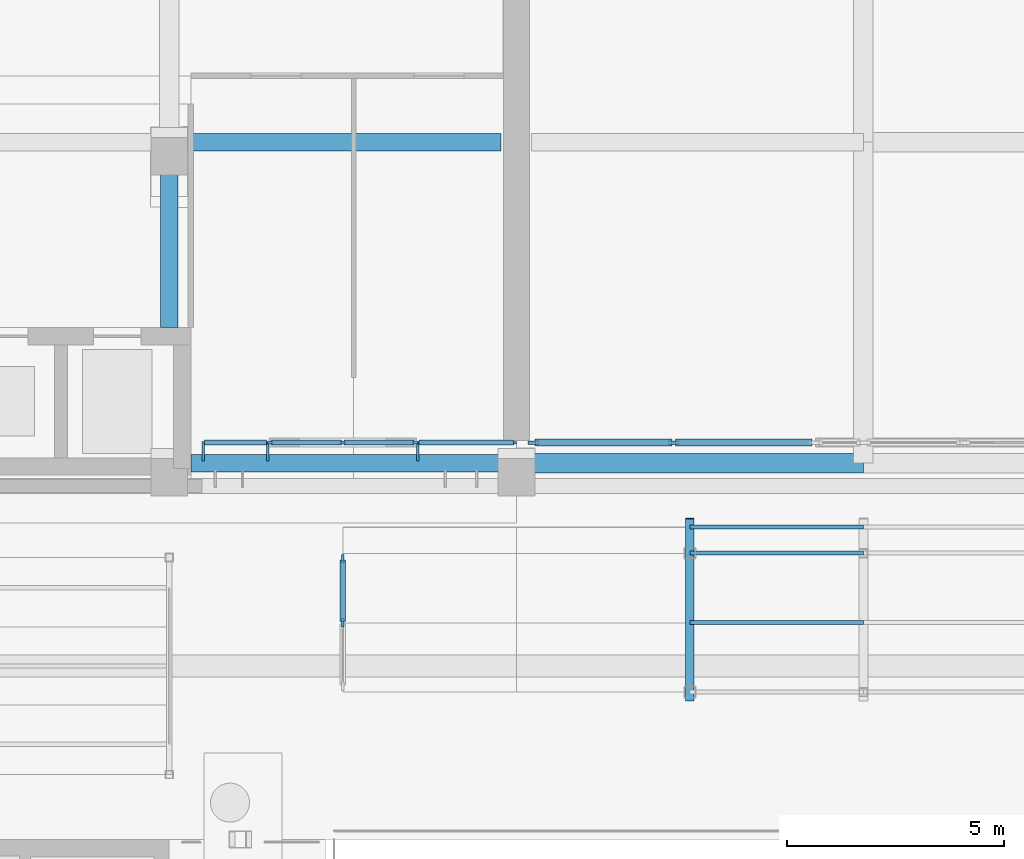
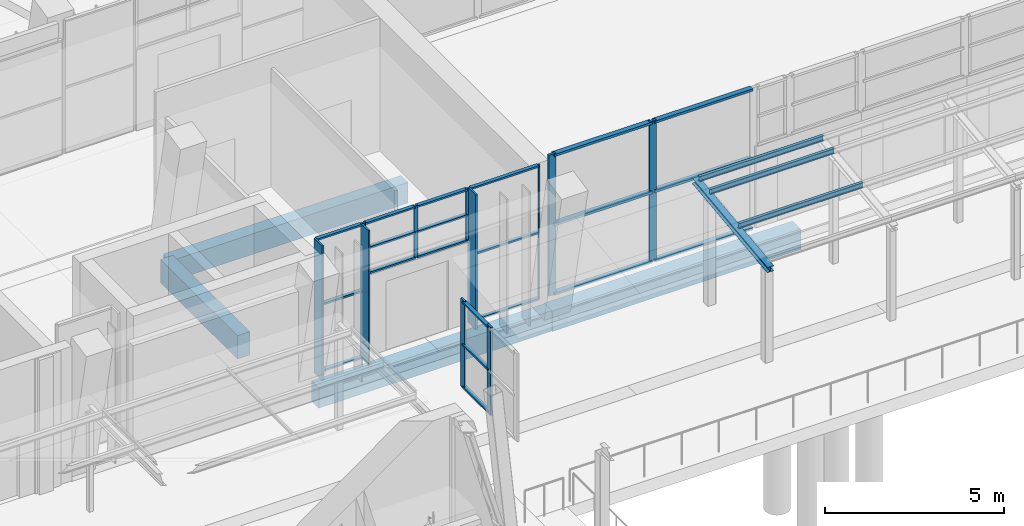
# One storey, part 33 of 144: 35 members, 5 beams, 5 elements without a shape of their own.
"""IFC4 building model written with IfcOpenShell, lengths in metres."""

from ifc_helpers import new_model, si_unit, direction, frame, origin, origin_2d, place, context, subcontext, project, spatial, rectangle, i_section, extrude, material, layer, layer_set, material_profile, profile_set, type_object, element, aggregate, save


model = new_model("IFC4")

# Units and contexts
model_context = context("Model", 3, precision=1e-05, world=origin(), true_north=direction((0.0, 1.0)))
body_context = subcontext(model_context, "Body", "Model", "MODEL_VIEW")
ifc_project = project(units=[si_unit("LENGTHUNIT", "METRE"), si_unit("AREAUNIT", "SQUARE_METRE"), si_unit("VOLUMEUNIT", "CUBIC_METRE"), si_unit("PLANEANGLEUNIT", "RADIAN"), si_unit("MASSUNIT", "GRAM", prefix="KILO")], contexts=[model_context])

# Site, building, storey
site_placement = place(None, origin())
site = spatial("IfcSite", under=ifc_project, at=site_placement, CompositionType="ELEMENT")
building_placement = place(site_placement, origin())
building = spatial("IfcBuilding", under=site, at=building_placement, Name="Lantern Court Media Centre", CompositionType="ELEMENT")
storey_placement = place(building_placement, origin())
storey = spatial("IfcBuildingStorey", under=building, at=storey_placement, Name="L00", CompositionType="ELEMENT", Elevation=0.0)

# Curtain wall, members
ifc_material_1 = material(Name="Curtain wall bay 1700")
curtain_wall_type_1 = type_object("IfcCurtainWallType", Name="Curtain wall bay 1700", PredefinedType="NOTDEFINED", material=ifc_material_1)
curtain_wall_1_placement = place(storey_placement, origin())
curtain_wall_1 = element("IfcCurtainWall", 1, at=curtain_wall_1_placement, inside=storey, type_object=curtain_wall_type_1, Name="Curtain wall S outer L00", PredefinedType="NOTDEFINED")
ifc_material_2 = material(Name="Anodised aluminium", Category="aluminium")
ifc_material_profile_1 = material_profile(ifc_material_2, rectangle(XDim=0.06005859375, YDim=0.1201171875, at=origin_2d()), Name="AL 60x120")
ifc_profile_set_1 = profile_set([ifc_material_profile_1], Name="Anodised aluminium")
member_type_1 = type_object("IfcMemberType", Name="Curtain wall mullion 60x120", PredefinedType="MULLION", material=ifc_profile_set_1)
member_1_placement = place(storey_placement, frame((34.330078125, 49.14990234375, 2.800048828125), z_axis=(0.0, 0.0, 1.0), x_axis=(0.0, 1.0, 0.0)))
member_1 = element("IfcMember", 2, at=member_1_placement, type_object=member_type_1, Name="CW4 mullion 1", PredefinedType="MULLION", context=body_context, shape_type="SweptSolid", body=[
    extrude(rectangle(XDim=0.06005859375, YDim=0.1201171875, at=origin_2d()), origin(), (0.0, 0.0, 1.0), 1.780029296875),
])
member_2_placement = place(storey_placement, frame((36.0, 49.14990234375, 2.800048828125), z_axis=(0.0, 0.0, 1.0), x_axis=(0.0, 1.0, 0.0)))
member_2 = element("IfcMember", 3, at=member_2_placement, type_object=member_type_1, Name="CW4 mullion 2", PredefinedType="MULLION", context=body_context, shape_type="SweptSolid", body=[
    extrude(rectangle(XDim=0.06005859375, YDim=0.1201171875, at=origin_2d()), origin(), (0.0, 0.0, 1.0), 1.780029296875),
])
member_3_placement = place(storey_placement, frame((37.669921875, 49.14990234375, 2.800048828125), z_axis=(0.0, 0.0, 1.0), x_axis=(0.0, 1.0, 0.0)))
member_3 = element("IfcMember", 4, at=member_3_placement, type_object=member_type_1, Name="CW4 mullion 3", PredefinedType="MULLION", context=body_context, shape_type="SweptSolid", body=[
    extrude(rectangle(XDim=0.06005859375, YDim=0.1201171875, at=origin_2d()), origin(), (0.0, 0.0, 1.0), 1.780029296875),
])

ifc_material_3 = material(Name="Curtain wall bay 3000")
curtain_wall_type_2 = type_object("IfcCurtainWallType", Name="Curtain wall bay 3000", PredefinedType="NOTDEFINED", material=ifc_material_3)
curtain_wall_2_placement = place(storey_placement, origin())
curtain_wall_2 = element("IfcCurtainWall", 5, at=curtain_wall_2_placement, inside=storey, type_object=curtain_wall_type_2, Name="Curtain wall S outer L00", PredefinedType="NOTDEFINED")
ifc_material_profile_2 = material_profile(ifc_material_2, rectangle(XDim=0.449951171875, YDim=0.06005859375, at=origin_2d()), Name="AL 60x450")
ifc_profile_set_2 = profile_set([ifc_material_profile_2], Name="Anodised aluminium")
member_type_2 = type_object("IfcMemberType", Name="Curtain wall mullion 60x450", PredefinedType="MULLION", material=ifc_profile_set_2)
member_4_placement = place(storey_placement, frame((32.780029296875, 48.955078125, 0.0), z_axis=(0.0, 0.0, 1.0), x_axis=(0.0, 1.0, 0.0)))
member_4 = element("IfcMember", 6, at=member_4_placement, type_object=member_type_2, Name="CW1 mullion 1", PredefinedType="MULLION", context=body_context, shape_type="SweptSolid", body=[
    extrude(rectangle(XDim=0.449951171875, YDim=0.06005859375, at=origin_2d()), origin(), (0.0, 0.0, 1.0), 4.580078125),
])
member_5_placement = place(storey_placement, frame((34.27001953125, 48.955078125, 0.0), z_axis=(0.0, 0.0, 1.0), x_axis=(0.0, 1.0, 0.0)))
member_5 = element("IfcMember", 7, at=member_5_placement, type_object=member_type_2, Name="CW1 mullion 2", PredefinedType="MULLION", context=body_context, shape_type="SweptSolid", body=[
    extrude(rectangle(XDim=0.449951171875, YDim=0.06005859375, at=origin_2d()), origin(), (0.0, 0.0, 1.0), 4.580078125),
])

curtain_wall_3_placement = place(storey_placement, origin())
curtain_wall_3 = element("IfcCurtainWall", 8, at=curtain_wall_3_placement, inside=storey, type_object=curtain_wall_type_2, Name="Curtain wall S outer L00", PredefinedType="NOTDEFINED")
member_6_placement = place(storey_placement, frame((37.72998046875, 48.955078125, 0.0), z_axis=(0.0, 0.0, 1.0), x_axis=(0.0, 1.0, 0.0)))
member_6 = element("IfcMember", 9, at=member_6_placement, type_object=member_type_2, Name="CW1 mullion 1", PredefinedType="MULLION", context=body_context, shape_type="SweptSolid", body=[
    extrude(rectangle(XDim=0.449951171875, YDim=0.06005859375, at=origin_2d()), origin(), (0.0, 0.0, 1.0), 4.580078125),
])
ifc_material_profile_3 = material_profile(ifc_material_2, rectangle(XDim=0.06005859375, YDim=0.06005859375, at=origin_2d()), Name="AL 60x60")
ifc_profile_set_3 = profile_set([ifc_material_profile_3], Name="Anodised aluminium")
member_type_3 = type_object("IfcMemberType", Name="Curtain wall mullion 60x60", PredefinedType="MULLION", material=ifc_profile_set_3)
member_7_placement = place(storey_placement, frame((39.969970703125, 49.14990234375, 0.0), z_axis=(0.0, 0.0, 1.0), x_axis=(0.0, 1.0, 0.0)))
member_7 = element("IfcMember", 10, at=member_7_placement, type_object=member_type_3, Name="CW1 mullion 2", PredefinedType="MULLION", context=body_context, shape_type="SweptSolid", body=[
    extrude(rectangle(XDim=0.06005859375, YDim=0.06005859375, at=origin_2d()), origin(), (0.0, 0.0, 1.0), 4.580078125),
])

ifc_material_4 = material(Name="Curtain wall bay 4000")
curtain_wall_type_3 = type_object("IfcCurtainWallType", Name="Curtain wall bay 4000", PredefinedType="NOTDEFINED", material=ifc_material_4)
curtain_wall_4_placement = place(storey_placement, origin())
curtain_wall_4 = element("IfcCurtainWall", 11, at=curtain_wall_4_placement, inside=storey, type_object=curtain_wall_type_3, Name="Curtain wall S outer L00", PredefinedType="NOTDEFINED")
ifc_material_profile_4 = material_profile(ifc_material_2, rectangle(XDim=0.080078125, YDim=0.239990234375, at=origin_2d()), Name="AL 80x240")
ifc_profile_set_4 = profile_set([ifc_material_profile_4], Name="Anodised aluminium")
member_type_4 = type_object("IfcMemberType", Name="Curtain wall mullion 80x240", PredefinedType="MULLION", material=ifc_profile_set_4)
member_8_placement = place(storey_placement, frame((40.389892578125, 49.14990234375, 0.0), z_axis=(0.0, 0.0, 1.0), x_axis=(0.0, 1.0, 0.0)))
member_8 = element("IfcMember", 12, at=member_8_placement, type_object=member_type_4, Name="CW3 mullion 1", PredefinedType="MULLION", context=body_context, shape_type="SweptSolid", body=[
    extrude(rectangle(XDim=0.080078125, YDim=0.239990234375, at=origin_2d()), origin(), (0.0, 0.0, 1.0), 4.800048828125),
])
member_9_placement = place(storey_placement, frame((43.625, 49.14990234375, 0.0), z_axis=(0.0, 0.0, 1.0), x_axis=(0.0, 1.0, 0.0)))
member_9 = element("IfcMember", 13, at=member_9_placement, type_object=member_type_4, Name="CW3 mullion 2", PredefinedType="MULLION", context=body_context, shape_type="SweptSolid", body=[
    extrude(rectangle(XDim=0.080078125, YDim=0.239990234375, at=origin_2d()), origin(), (0.0, 0.0, 1.0), 4.800048828125),
])
ifc_material_profile_5 = material_profile(ifc_material_2, rectangle(XDim=0.159912109375, YDim=0.080078125, at=origin_2d()), Name="AL 80x160")
ifc_profile_set_5 = profile_set([ifc_material_profile_5], Name="Anodised aluminium")
member_type_5 = type_object("IfcMemberType", Name="Curtain wall transom 160x80", PredefinedType="USERDEFINED", material=ifc_profile_set_5)
member_10_placement = place(storey_placement, frame((40.429931640625, 49.14990234375, 0.0400390625), z_axis=(1.0, 0.0, 0.0), x_axis=(0.0, 1.0, 0.0)))
member_10 = element("IfcMember", 14, at=member_10_placement, type_object=member_type_5, Name="CW3 transom 1.1", ObjectType="TRANSOM", PredefinedType="USERDEFINED", context=body_context, shape_type="SweptSolid", body=[
    extrude(rectangle(XDim=0.159912109375, YDim=0.080078125, at=origin_2d()), origin(), (0.0, 0.0, 1.0), 3.155029296875),
])
member_11_placement = place(storey_placement, frame((40.429931640625, 49.14990234375, 2.39990234375), z_axis=(1.0, 0.0, 0.0), x_axis=(0.0, 1.0, 0.0)))
member_11 = element("IfcMember", 15, at=member_11_placement, type_object=member_type_5, Name="CW3 transom 1.2", ObjectType="TRANSOM", PredefinedType="USERDEFINED", context=body_context, shape_type="SweptSolid", body=[
    extrude(rectangle(XDim=0.159912109375, YDim=0.080078125, at=origin_2d()), origin(), (0.0, 0.0, 1.0), 3.155029296875),
])
member_12_placement = place(storey_placement, frame((40.429931640625, 49.14990234375, 4.760009765625), z_axis=(1.0, 0.0, 0.0), x_axis=(0.0, 1.0, 0.0)))
member_12 = element("IfcMember", 16, at=member_12_placement, type_object=member_type_5, Name="CW3 transom 1.3", ObjectType="TRANSOM", PredefinedType="USERDEFINED", context=body_context, shape_type="SweptSolid", body=[
    extrude(rectangle(XDim=0.159912109375, YDim=0.080078125, at=origin_2d()), origin(), (0.0, 0.0, 1.0), 3.155029296875),
])
member_13_placement = place(storey_placement, frame((43.6650390625, 49.14990234375, 0.0400390625), z_axis=(1.0, 0.0, 0.0), x_axis=(0.0, 1.0, 0.0)))
member_13 = element("IfcMember", 17, at=member_13_placement, type_object=member_type_5, Name="CW3 transom 2.1", ObjectType="TRANSOM", PredefinedType="USERDEFINED", context=body_context, shape_type="SweptSolid", body=[
    extrude(rectangle(XDim=0.159912109375, YDim=0.080078125, at=origin_2d()), origin(), (0.0, 0.0, 1.0), 3.155029296875),
])
member_14_placement = place(storey_placement, frame((43.6650390625, 49.14990234375, 2.39990234375), z_axis=(1.0, 0.0, 0.0), x_axis=(0.0, 1.0, 0.0)))
member_14 = element("IfcMember", 18, at=member_14_placement, type_object=member_type_5, Name="CW3 transom 2.2", ObjectType="TRANSOM", PredefinedType="USERDEFINED", context=body_context, shape_type="SweptSolid", body=[
    extrude(rectangle(XDim=0.159912109375, YDim=0.080078125, at=origin_2d()), origin(), (0.0, 0.0, 1.0), 3.155029296875),
])
member_15_placement = place(storey_placement, frame((43.6650390625, 49.14990234375, 4.760009765625), z_axis=(1.0, 0.0, 0.0), x_axis=(0.0, 1.0, 0.0)))
member_15 = element("IfcMember", 19, at=member_15_placement, type_object=member_type_5, Name="CW3 transom 2.3", ObjectType="TRANSOM", PredefinedType="USERDEFINED", context=body_context, shape_type="SweptSolid", body=[
    extrude(rectangle(XDim=0.159912109375, YDim=0.080078125, at=origin_2d()), origin(), (0.0, 0.0, 1.0), 3.155029296875),
])
aggregate(curtain_wall_4, [member_8, member_9, member_10, member_11, member_12, member_13, member_14, member_15])

# Member
ifc_material_profile_6 = material_profile(ifc_material_2, rectangle(XDim=0.1201171875, YDim=0.06005859375, at=origin_2d()), Name="AL 60x120")
ifc_profile_set_6 = profile_set([ifc_material_profile_6], Name="Anodised aluminium")
member_type_6 = type_object("IfcMemberType", Name="Curtain wall transom 60x120", PredefinedType="USERDEFINED", material=ifc_profile_set_6)
member_16_placement = place(storey_placement, frame((32.81005859375, 49.14990234375, 0.030029296875), z_axis=(1.0, 0.0, 0.0), x_axis=(0.0, 1.0, 0.0)))
member_16 = element("IfcMember", 20, at=member_16_placement, type_object=member_type_6, Name="CW1 transom 1.1", ObjectType="TRANSOM", PredefinedType="USERDEFINED", context=body_context, shape_type="SweptSolid", body=[
    extrude(rectangle(XDim=0.1201171875, YDim=0.06005859375, at=origin_2d()), origin(), (0.0, 0.0, 1.0), 1.429931640625),
])

member_17_placement = place(storey_placement, frame((32.81005859375, 49.14990234375, 2.2900390625), z_axis=(1.0, 0.0, 0.0), x_axis=(0.0, 1.0, 0.0)))
member_17 = element("IfcMember", 21, at=member_17_placement, type_object=member_type_6, Name="CW1 transom 1.2", ObjectType="TRANSOM", PredefinedType="USERDEFINED", context=body_context, shape_type="SweptSolid", body=[
    extrude(rectangle(XDim=0.1201171875, YDim=0.06005859375, at=origin_2d()), origin(), (0.0, 0.0, 1.0), 1.429931640625),
])

member_18_placement = place(storey_placement, frame((32.81005859375, 49.14990234375, 4.550048828125), z_axis=(1.0, 0.0, 0.0), x_axis=(0.0, 1.0, 0.0)))
member_18 = element("IfcMember", 22, at=member_18_placement, type_object=member_type_6, Name="CW1 transom 1.3", ObjectType="TRANSOM", PredefinedType="USERDEFINED", context=body_context, shape_type="SweptSolid", body=[
    extrude(rectangle(XDim=0.1201171875, YDim=0.06005859375, at=origin_2d()), origin(), (0.0, 0.0, 1.0), 1.429931640625),
])

aggregate(curtain_wall_2, [member_4, member_5, member_16, member_17, member_18])

member_19_placement = place(storey_placement, frame((37.760009765625, 49.14990234375, 0.030029296875), z_axis=(1.0, 0.0, 0.0), x_axis=(0.0, 1.0, 0.0)))
member_19 = element("IfcMember", 23, at=member_19_placement, type_object=member_type_6, Name="CW1 transom 1.1", ObjectType="TRANSOM", PredefinedType="USERDEFINED", context=body_context, shape_type="SweptSolid", body=[
    extrude(rectangle(XDim=0.1201171875, YDim=0.06005859375, at=origin_2d()), origin(), (0.0, 0.0, 1.0), 2.179931640625),
])

member_20_placement = place(storey_placement, frame((37.760009765625, 49.14990234375, 2.2900390625), z_axis=(1.0, 0.0, 0.0), x_axis=(0.0, 1.0, 0.0)))
member_20 = element("IfcMember", 24, at=member_20_placement, type_object=member_type_6, Name="CW1 transom 1.2", ObjectType="TRANSOM", PredefinedType="USERDEFINED", context=body_context, shape_type="SweptSolid", body=[
    extrude(rectangle(XDim=0.1201171875, YDim=0.06005859375, at=origin_2d()), origin(), (0.0, 0.0, 1.0), 2.179931640625),
])

member_21_placement = place(storey_placement, frame((37.760009765625, 49.14990234375, 4.550048828125), z_axis=(1.0, 0.0, 0.0), x_axis=(0.0, 1.0, 0.0)))
member_21 = element("IfcMember", 25, at=member_21_placement, type_object=member_type_6, Name="CW1 transom 1.3", ObjectType="TRANSOM", PredefinedType="USERDEFINED", context=body_context, shape_type="SweptSolid", body=[
    extrude(rectangle(XDim=0.1201171875, YDim=0.06005859375, at=origin_2d()), origin(), (0.0, 0.0, 1.0), 2.179931640625),
])

aggregate(curtain_wall_3, [member_6, member_7, member_19, member_20, member_21])

member_22_placement = place(storey_placement, frame((34.360107421875, 49.14990234375, 2.830078125), z_axis=(1.0, 0.0, 0.0), x_axis=(0.0, 1.0, 0.0)))
member_22 = element("IfcMember", 26, at=member_22_placement, type_object=member_type_6, Name="CW4 transom 1.1", ObjectType="TRANSOM", PredefinedType="USERDEFINED", context=body_context, shape_type="SweptSolid", body=[
    extrude(rectangle(XDim=0.1201171875, YDim=0.06005859375, at=origin_2d()), origin(), (0.0, 0.0, 1.0), 1.60986328125),
])

member_23_placement = place(storey_placement, frame((34.360107421875, 49.14990234375, 3.68994140625), z_axis=(1.0, 0.0, 0.0), x_axis=(0.0, 1.0, 0.0)))
member_23 = element("IfcMember", 27, at=member_23_placement, type_object=member_type_6, Name="CW4 transom 1.2", ObjectType="TRANSOM", PredefinedType="USERDEFINED", context=body_context, shape_type="SweptSolid", body=[
    extrude(rectangle(XDim=0.1201171875, YDim=0.06005859375, at=origin_2d()), origin(), (0.0, 0.0, 1.0), 1.60986328125),
])

member_24_placement = place(storey_placement, frame((34.360107421875, 49.14990234375, 4.550048828125), z_axis=(1.0, 0.0, 0.0), x_axis=(0.0, 1.0, 0.0)))
member_24 = element("IfcMember", 28, at=member_24_placement, type_object=member_type_6, Name="CW4 transom 1.3", ObjectType="TRANSOM", PredefinedType="USERDEFINED", context=body_context, shape_type="SweptSolid", body=[
    extrude(rectangle(XDim=0.1201171875, YDim=0.06005859375, at=origin_2d()), origin(), (0.0, 0.0, 1.0), 1.60986328125),
])

member_25_placement = place(storey_placement, frame((36.030029296875, 49.14990234375, 2.830078125), z_axis=(1.0, 0.0, 0.0), x_axis=(0.0, 1.0, 0.0)))
member_25 = element("IfcMember", 29, at=member_25_placement, type_object=member_type_6, Name="CW4 transom 2.1", ObjectType="TRANSOM", PredefinedType="USERDEFINED", context=body_context, shape_type="SweptSolid", body=[
    extrude(rectangle(XDim=0.1201171875, YDim=0.06005859375, at=origin_2d()), origin(), (0.0, 0.0, 1.0), 1.60986328125),
])

member_26_placement = place(storey_placement, frame((36.030029296875, 49.14990234375, 3.68994140625), z_axis=(1.0, 0.0, 0.0), x_axis=(0.0, 1.0, 0.0)))
member_26 = element("IfcMember", 30, at=member_26_placement, type_object=member_type_6, Name="CW4 transom 2.2", ObjectType="TRANSOM", PredefinedType="USERDEFINED", context=body_context, shape_type="SweptSolid", body=[
    extrude(rectangle(XDim=0.1201171875, YDim=0.06005859375, at=origin_2d()), origin(), (0.0, 0.0, 1.0), 1.60986328125),
])

member_27_placement = place(storey_placement, frame((36.030029296875, 49.14990234375, 4.550048828125), z_axis=(1.0, 0.0, 0.0), x_axis=(0.0, 1.0, 0.0)))
member_27 = element("IfcMember", 31, at=member_27_placement, type_object=member_type_6, Name="CW4 transom 2.3", ObjectType="TRANSOM", PredefinedType="USERDEFINED", context=body_context, shape_type="SweptSolid", body=[
    extrude(rectangle(XDim=0.1201171875, YDim=0.06005859375, at=origin_2d()), origin(), (0.0, 0.0, 1.0), 1.60986328125),
])

aggregate(curtain_wall_1, [member_1, member_2, member_3, member_22, member_23, member_24, member_25, member_26, member_27])

# Members
ifc_material_5 = material(Name="Steel S355J2 (EN 10025-2)", Category="steel")
ifc_material_profile_7 = material_profile(ifc_material_5, i_section(OverallWidth=0.091064453125, OverallDepth=0.179931640625, WebThickness=0.00537109375, FlangeThickness=0.008056640625, FilletRadius=0.009033203125, at=origin_2d()), Name="IPE 180")
ifc_profile_set_7 = profile_set([ifc_material_profile_7], Name="Steel S355J2 (EN 10025-2)")
member_type_7 = type_object("IfcMemberType", Name="Entrance canopy purlin IPE 180", PredefinedType="PURLIN", material=ifc_profile_set_7)
for number, where, z_axis, x_axis, name in (
    (32, (44.0, 45.0, 3.604248046875), (1.0, 0.0, 0.0), (0.0, 1.0, 0.0), "Entrance canopy purlin 2-1"),
    (33, (44.0, 46.60009765625, 3.794677734375), (1.0, 0.0, 0.0), (0.0, 1.0, 0.0), "Entrance canopy purlin 3-1"),
    (34, (44.0, 47.199951171875, 3.865966796875), (1.0, 0.0, 0.0), (0.0, 1.0, 0.0), "Entrance canopy purlin 4-1"),
):
    element("IfcMember", number, at=place(storey_placement, frame(where, z_axis=z_axis, x_axis=x_axis)), inside=storey, type_object=member_type_7, Name=name, PredefinedType="PURLIN", context=body_context, shape_type="SweptSolid", body=[
        extrude(i_section(OverallWidth=0.091064453125, OverallDepth=0.179931640625, WebThickness=0.00537109375, FlangeThickness=0.008056640625, FilletRadius=0.009033203125, at=origin_2d()), origin(), (0.0, 0.0, 1.0), 4.0),
    ])

# Beam
ifc_material_profile_8 = material_profile(ifc_material_5, i_section(OverallWidth=0.199951171875, OverallDepth=0.18994140625, WebThickness=0.006591796875, FlangeThickness=0.010009765625, FilletRadius=0.01806640625, at=origin_2d()), Name="HEA 200")
ifc_profile_set_8 = profile_set([ifc_material_profile_8], Name="Steel S355J2 (EN 10025-2)")
beam_type_1 = type_object("IfcBeamType", Name="Entrance canopy rafter HEA 200", PredefinedType="BEAM", material=ifc_profile_set_8)
beam_1_placement = place(storey_placement, frame((44.0, 43.199951171875, 3.205078125), z_axis=(0.0, 0.992994886978, 0.118157329166), x_axis=(-1.0, 0.0, 0.0)))
element("IfcBeam", 35, at=beam_1_placement, inside=storey, type_object=beam_type_1, Name="Entrance canopy rafter 1", PredefinedType="BEAM", context=body_context, shape_type="SweptSolid", body=[
    extrude(i_section(OverallWidth=0.199951171875, OverallDepth=0.18994140625, WebThickness=0.006591796875, FlangeThickness=0.010009765625, FilletRadius=0.01806640625, at=origin_2d()), origin(), (0.0, 0.0, 1.0), 4.2294921875),
])

# Curtain wall, members
ifc_material_6 = material(Name="Aluminium and glass", Category="aluminium")
ifc_layer = layer(ifc_material_6, 0.14990234375)
ifc_layer_set = layer_set([ifc_layer], Name="Aluminium and glass")
curtain_wall_type_4 = type_object("IfcCurtainWallType", Name="Hall lancet glazing", PredefinedType="NOTDEFINED", material=ifc_layer_set)
curtain_wall_5_placement = place(storey_placement, origin())
curtain_wall_5 = element("IfcCurtainWall", 36, at=curtain_wall_5_placement, inside=storey, type_object=curtain_wall_type_4, Name="Entrance canopy west end glazing", PredefinedType="NOTDEFINED")
ifc_material_7 = material(Name="Aluminium, anodised", Category="aluminium")
ifc_material_profile_9 = material_profile(ifc_material_7, rectangle(XDim=0.06005859375, YDim=0.199951171875, at=origin_2d()), Name="HM")
ifc_profile_set_9 = profile_set([ifc_material_profile_9], Name="Aluminium, anodised")
member_type_8 = type_object("IfcMemberType", Name="HM", PredefinedType="MULLION", material=ifc_profile_set_9)
member_28_placement = place(storey_placement, frame((36.0, 45.0, 0.0), z_axis=(0.0, 0.0, 1.0), x_axis=(-1.0, 0.0, 0.0)))
member_28 = element("IfcMember", 37, at=member_28_placement, type_object=member_type_8, Name="HCW-CW mullion 2", PredefinedType="MULLION", context=body_context, shape_type="SweptSolid", body=[
    extrude(rectangle(XDim=0.06005859375, YDim=0.199951171875, at=origin_2d()), origin(), (0.0, 0.0, 1.0), 3.0),
])
member_29_placement = place(storey_placement, frame((36.0, 46.469970703125, 0.0), z_axis=(0.0, 0.0, 1.0), x_axis=(-1.0, 0.0, 0.0)))
member_29 = element("IfcMember", 38, at=member_29_placement, type_object=member_type_8, Name="HCW-CW mullion 3", PredefinedType="MULLION", context=body_context, shape_type="SweptSolid", body=[
    extrude(rectangle(XDim=0.06005859375, YDim=0.199951171875, at=origin_2d()), origin(), (0.0, 0.0, 1.0), 3.0),
])
ifc_material_profile_10 = material_profile(ifc_material_7, rectangle(XDim=0.1201171875, YDim=0.06005859375, at=origin_2d()), Name="HT")
ifc_profile_set_10 = profile_set([ifc_material_profile_10], Name="Aluminium, anodised")
member_type_9 = type_object("IfcMemberType", Name="HT", PredefinedType="USERDEFINED", material=ifc_profile_set_10)
member_30_placement = place(storey_placement, frame((36.0, 45.030029296875, 0.06005859375), z_axis=(0.0, 1.0, 0.0), x_axis=(-1.0, 0.0, 0.0)))
member_30 = element("IfcMember", 39, at=member_30_placement, type_object=member_type_9, Name="HCW-CW transom 2.1", ObjectType="TRANSOM", PredefinedType="USERDEFINED", context=body_context, shape_type="SweptSolid", body=[
    extrude(rectangle(XDim=0.1201171875, YDim=0.06005859375, at=origin_2d()), origin(), (0.0, 0.0, 1.0), 1.409912109375),
])
member_31_placement = place(storey_placement, frame((36.0, 45.030029296875, 1.5), z_axis=(0.0, 1.0, 0.0), x_axis=(-1.0, 0.0, 0.0)))
member_31 = element("IfcMember", 40, at=member_31_placement, type_object=member_type_9, Name="HCW-CW transom 2.2", ObjectType="TRANSOM", PredefinedType="USERDEFINED", context=body_context, shape_type="SweptSolid", body=[
    extrude(rectangle(XDim=0.1201171875, YDim=0.06005859375, at=origin_2d()), origin(), (0.0, 0.0, 1.0), 1.409912109375),
])
member_32_placement = place(storey_placement, frame((36.0, 45.030029296875, 2.93994140625), z_axis=(0.0, 1.0, 0.0), x_axis=(-1.0, 0.0, 0.0)))
member_32 = element("IfcMember", 41, at=member_32_placement, type_object=member_type_9, Name="HCW-CW transom 2.3", ObjectType="TRANSOM", PredefinedType="USERDEFINED", context=body_context, shape_type="SweptSolid", body=[
    extrude(rectangle(XDim=0.1201171875, YDim=0.06005859375, at=origin_2d()), origin(), (0.0, 0.0, 1.0), 1.409912109375),
])
aggregate(curtain_wall_5, [member_28, member_29, member_30, member_31, member_32])

# Beams
ifc_material_8 = material(Name="Concrete C35", Category="concrete")
ifc_material_profile_11 = material_profile(ifc_material_8, rectangle(XDim=0.39990234375, YDim=0.699951171875, at=origin_2d()), Name="RC 400x700")
ifc_profile_set_11 = profile_set([ifc_material_profile_11], Name="Concrete C35")
beam_type_2 = type_object("IfcBeamType", Name="RC BEAM 400x700", PredefinedType="BEAM", material=ifc_profile_set_11)
beam_2_placement = place(storey_placement, frame((32.5, 48.6728515625, -0.35009765625), z_axis=(1.0, 0.0, 0.0), x_axis=(0.0, 1.0, 0.0)))
element("IfcBeam", 42, at=beam_2_placement, inside=storey, type_object=beam_type_2, Name="LB-S-L00-0-1", PredefinedType="BEAM", context=body_context, shape_type="SweptSolid", body=[
    extrude(rectangle(XDim=0.39990234375, YDim=0.699951171875, at=origin_2d()), origin(), (0.0, 0.0, 1.0), 7.5),
])
beam_3_placement = place(storey_placement, frame((32.0, 56.072998046875, -0.35009765625), z_axis=(1.0, 0.0, 0.0), x_axis=(0.0, 1.0, 0.0)))
element("IfcBeam", 43, at=beam_3_placement, inside=storey, type_object=beam_type_2, Name="LB-S-L00-1-1", PredefinedType="BEAM", context=body_context, shape_type="SweptSolid", body=[
    extrude(rectangle(XDim=0.39990234375, YDim=0.699951171875, at=origin_2d()), origin(), (0.0, 0.0, 1.0), 7.64990234375),
])
ifc_material_profile_12 = material_profile(ifc_material_8, rectangle(XDim=0.39990234375, YDim=0.800048828125, at=origin_2d()), Name="RC 400x800")
ifc_profile_set_12 = profile_set([ifc_material_profile_12], Name="Concrete C35")
beam_type_3 = type_object("IfcBeamType", Name="RC BEAM 400x800", PredefinedType="BEAM", material=ifc_profile_set_12)
beam_4_placement = place(storey_placement, frame((32.0, 51.800048828125, -0.39990234375), z_axis=(0.0, 1.0, 0.0), x_axis=(-1.0, 0.0, 0.0)))
element("IfcBeam", 44, at=beam_4_placement, inside=storey, type_object=beam_type_3, Name="TB-S-L00-1-1", PredefinedType="BEAM", context=body_context, shape_type="SweptSolid", body=[
    extrude(rectangle(XDim=0.39990234375, YDim=0.800048828125, at=origin_2d()), origin(), (0.0, 0.0, 1.0), 4.283203125),
])
ifc_material_profile_13 = material_profile(ifc_material_8, rectangle(XDim=0.449951171875, YDim=0.699951171875, at=origin_2d()), Name="RC 450x700")
ifc_profile_set_13 = profile_set([ifc_material_profile_13], Name="Concrete C35")
beam_type_4 = type_object("IfcBeamType", Name="RC BEAM 450x700", PredefinedType="BEAM", material=ifc_profile_set_13)
beam_5_placement = place(storey_placement, frame((40.0, 48.6728515625, -0.35009765625), z_axis=(1.0, 0.0, 0.0), x_axis=(0.0, 1.0, 0.0)))
element("IfcBeam", 45, at=beam_5_placement, inside=storey, type_object=beam_type_4, Name="LB-S-L00-0-2", PredefinedType="BEAM", context=body_context, shape_type="SweptSolid", body=[
    extrude(rectangle(XDim=0.449951171875, YDim=0.699951171875, at=origin_2d()), origin(), (0.0, 0.0, 1.0), 8.0),
])

save(model, "model.ifc")
